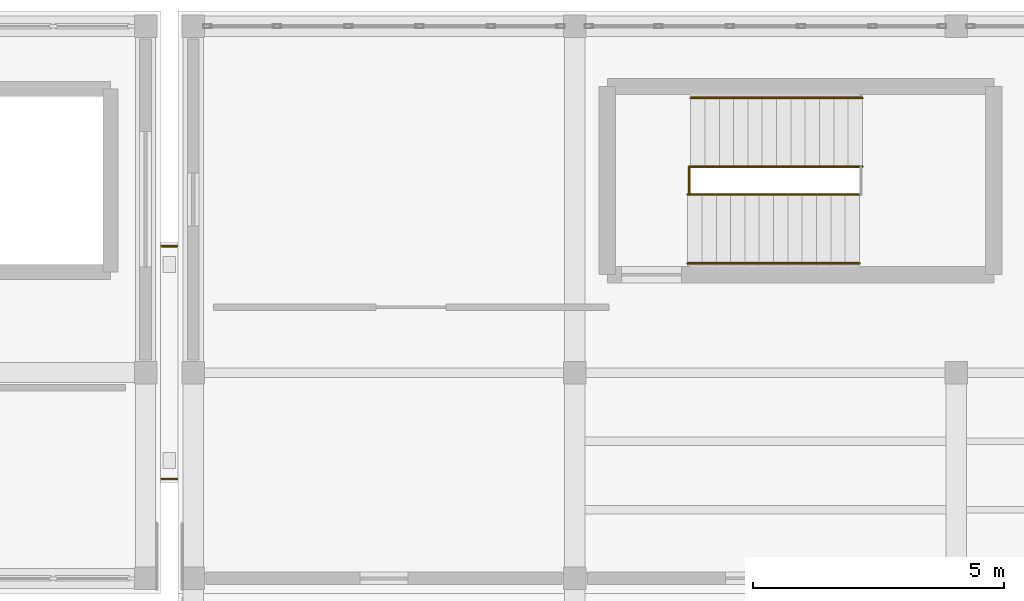
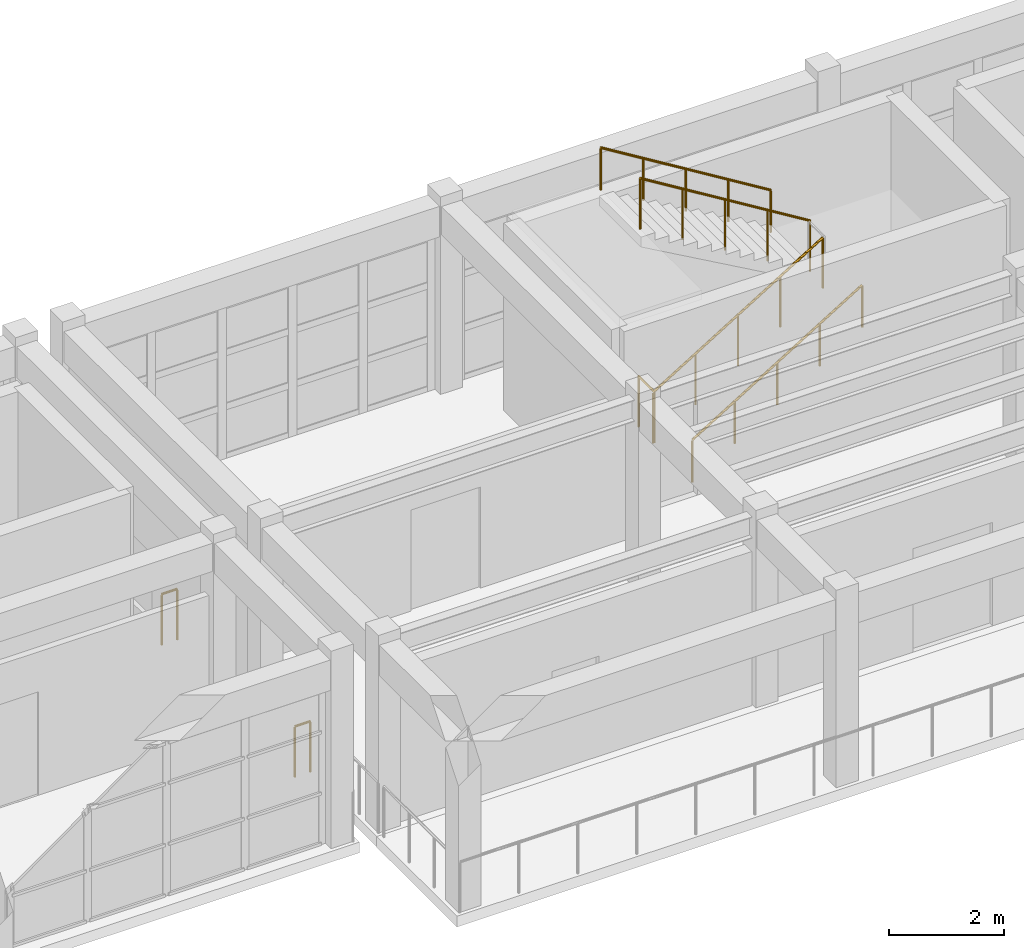
# One storey, part 61 of 66: 7 railings.
"""IFC4 building model written with IfcOpenShell, lengths in metres."""

from ifc_helpers import new_model, si_unit, direction, frame, origin, origin_2d, place, context, subcontext, project, spatial, circle, extrude, material, type_object, element, save


model = new_model("IFC4")

# Units and contexts
model_context = context("Model", 3, precision=1e-05, world=origin(), true_north=direction((0.0, 1.0)))
body_context = subcontext(model_context, "Body", "Model", "MODEL_VIEW")
ifc_project = project(units=[si_unit("LENGTHUNIT", "METRE"), si_unit("AREAUNIT", "SQUARE_METRE"), si_unit("VOLUMEUNIT", "CUBIC_METRE"), si_unit("PLANEANGLEUNIT", "RADIAN"), si_unit("MASSUNIT", "GRAM", prefix="KILO")], contexts=[model_context])

# Site, building, storey
site_placement = place(None, origin())
site = spatial("IfcSite", under=ifc_project, at=site_placement, CompositionType="ELEMENT")
building_placement = place(site_placement, origin())
building = spatial("IfcBuilding", under=site, at=building_placement, Name="Candilejo Ridge Gondola Terminal", CompositionType="ELEMENT")
storey_placement = place(building_placement, frame((0.0, 0.0, 14.39990234375)))
storey = spatial("IfcBuildingStorey", under=building, at=storey_placement, Name="L03", CompositionType="ELEMENT", Elevation=14.39990234375)

# Railings
ifc_material_1 = material(Name="Hot-dip galvanised steel ASTM A500 Grade B", Category="steel")
railing_type_1 = type_object("IfcRailingType", Name="ARC-GUARD-GLASS-1150", PredefinedType="GUARDRAIL", material=ifc_material_1)
for number, where, name in (
    (1, (86.3701171875, 27.679931640625, 0.0), "Link bridge guard LB-SJ2-L03-S"),
    (2, (86.3701171875, 32.320068359375, 0.0), "Link bridge guard LB-SJ2-L03-N"),
):
    element("IfcRailing", number, at=place(storey_placement, frame(where)), inside=storey, type_object=railing_type_1, Name=name, PredefinedType="GUARDRAIL", context=body_context, shape_type="SweptSolid", body=[
        extrude(circle(Radius=0.02392578125, at=origin_2d()), frame((0.0, 0.0, 1.076171875), z_axis=(1.0, 0.0, 0.0), x_axis=(0.0, 1.0, 0.0)), (0.0, 0.0, 1.0), 0.309814453125),
        extrude(circle(Radius=0.02099609375, at=origin_2d()), origin(), (0.0, 0.0, 1.0), 1.052001953125),
        extrude(circle(Radius=0.02099609375, at=origin_2d()), frame((0.309814453125, 0.0, 0.0)), (0.0, 0.0, 1.0), 1.052001953125),
    ])
ifc_material_2 = material(Name="Hot-dip galvanised steel ASTM A500 Grade B", Category="steel")
railing_type_2 = type_object("IfcRailingType", Name="ARC-STAIR-GUARD-1100", PredefinedType="GUARDRAIL", material=ifc_material_2)
railing_1_placement = place(storey_placement, frame((96.8798828125, 33.347412109375, 0.0)))
element("IfcRailing", 3, at=railing_1_placement, inside=storey, type_object=railing_type_2, Name="Arrival well guard ST-V3A-L02-ARR-L03", PredefinedType="GUARDRAIL", context=body_context, shape_type="SweptSolid", body=[
    extrude(circle(Radius=0.02392578125, at=origin_2d()), frame((0.0, 0.0, 1.076171875), z_axis=(0.0, 1.0, 0.0), x_axis=(-1.0, 0.0, 0.0)), (0.0, 0.0, 1.0), 0.55517578125),
    extrude(circle(Radius=0.02099609375, at=origin_2d()), origin(), (0.0, 0.0, 1.0), 1.052001953125),
    extrude(circle(Radius=0.02099609375, at=origin_2d()), frame((0.0, 0.55517578125, 0.0)), (0.0, 0.0, 1.0), 1.052001953125),
])
railing_2_placement = place(storey_placement, frame((96.85009765625, 33.347412109375, 0.0)))
element("IfcRailing", 4, at=railing_2_placement, inside=storey, type_object=railing_type_2, Name="Flight well guard ST-V3A-F07", PredefinedType="GUARDRAIL", context=body_context, shape_type="SweptSolid", body=[
    extrude(circle(Radius=0.02392578125, at=origin_2d()), frame((0.0, 0.0, 1.076171875), z_axis=(0.852155044755, 0.0, 0.523289384279), x_axis=(0.0, 1.0, 0.0)), (0.0, 0.0, 1.0), 4.01318359375),
    extrude(circle(Radius=0.02099609375, at=origin_2d()), origin(), (0.0, 0.0, 1.0), 1.052001953125),
    extrude(circle(Radius=0.02099609375, at=origin_2d()), frame((0.85498046875, 0.0, 0.52490234375)), (0.0, 0.0, 1.0), 1.052001953125),
    extrude(circle(Radius=0.02099609375, at=origin_2d()), frame((1.7099609375, 0.0, 1.050048828125)), (0.0, 0.0, 1.0), 1.052001953125),
    extrude(circle(Radius=0.02099609375, at=origin_2d()), frame((2.56494140625, 0.0, 1.5751953125)), (0.0, 0.0, 1.0), 1.052001953125),
    extrude(circle(Radius=0.02099609375, at=origin_2d()), frame((3.419921875, 0.0, 2.10009765625)), (0.0, 0.0, 1.0), 1.052001953125),
])
railing_3_placement = place(storey_placement, frame((100.330078125, 33.902587890625, 2.10009765625)))
element("IfcRailing", 5, at=railing_3_placement, inside=storey, type_object=railing_type_2, Name="Flight well guard ST-V3A-F08", PredefinedType="GUARDRAIL", context=body_context, shape_type="SweptSolid", body=[
    extrude(circle(Radius=0.02392578125, at=origin_2d()), frame((0.0, 0.0, 1.076171875), z_axis=(-0.852171701593, 0.0, 0.523262258341), x_axis=(0.0, -1.0, 0.0)), (0.0, 0.0, 1.0), 4.013427734375),
    extrude(circle(Radius=0.02099609375, at=origin_2d()), origin(), (0.0, 0.0, 1.0), 1.052001953125),
    extrude(circle(Radius=0.02099609375, at=origin_2d()), frame((-0.85498046875, 0.0, 0.52490234375)), (0.0, 0.0, 1.0), 1.052001953125),
    extrude(circle(Radius=0.02099609375, at=origin_2d()), frame((-1.7099609375, 0.0, 1.050048828125)), (0.0, 0.0, 1.0), 1.052001953125),
    extrude(circle(Radius=0.02099609375, at=origin_2d()), frame((-2.565185546875, 0.0, 1.5751953125)), (0.0, 0.0, 1.0), 1.052001953125),
    extrude(circle(Radius=0.02099609375, at=origin_2d()), frame((-3.420166015625, 0.0, 2.10009765625)), (0.0, 0.0, 1.0), 1.052001953125),
])
ifc_material_3 = material(Name="Brushed stainless steel AISI 316", Category="steel")
railing_type_3 = type_object("IfcRailingType", Name="ARC-STAIR-HANDRAIL-920", PredefinedType="HANDRAIL", material=ifc_material_3)
railing_4_placement = place(storey_placement, frame((96.85009765625, 31.9775390625, 0.0)))
element("IfcRailing", 6, at=railing_4_placement, inside=storey, type_object=railing_type_3, Name="Wall handrail ST-V3A-F07", PredefinedType="HANDRAIL", context=body_context, shape_type="SweptSolid", body=[
    extrude(circle(Radius=0.02392578125, at=origin_2d()), frame((0.0, 0.0, 0.89599609375), z_axis=(0.852155044755, 0.0, 0.523289384279), x_axis=(0.0, 1.0, 0.0)), (0.0, 0.0, 1.0), 4.01318359375),
    extrude(circle(Radius=0.02099609375, at=origin_2d()), origin(), (0.0, 0.0, 1.0), 0.871826171875),
    extrude(circle(Radius=0.02099609375, at=origin_2d()), frame((0.85498046875, 0.0, 0.52490234375)), (0.0, 0.0, 1.0), 0.871826171875),
    extrude(circle(Radius=0.02099609375, at=origin_2d()), frame((1.7099609375, 0.0, 1.050048828125)), (0.0, 0.0, 1.0), 0.871826171875),
    extrude(circle(Radius=0.02099609375, at=origin_2d()), frame((2.56494140625, 0.0, 1.5751953125)), (0.0, 0.0, 1.0), 0.871826171875),
    extrude(circle(Radius=0.02099609375, at=origin_2d()), frame((3.419921875, 0.0, 2.10009765625)), (0.0, 0.0, 1.0), 0.871826171875),
])
railing_5_placement = place(storey_placement, frame((100.330078125, 35.2724609375, 2.10009765625)))
element("IfcRailing", 7, at=railing_5_placement, inside=storey, type_object=railing_type_3, Name="Wall handrail ST-V3A-F08", PredefinedType="HANDRAIL", context=body_context, shape_type="SweptSolid", body=[
    extrude(circle(Radius=0.02392578125, at=origin_2d()), frame((0.0, 0.0, 0.89599609375), z_axis=(-0.852171701593, 0.0, 0.523262258341), x_axis=(0.0, -1.0, 0.0)), (0.0, 0.0, 1.0), 4.013427734375),
    extrude(circle(Radius=0.02099609375, at=origin_2d()), origin(), (0.0, 0.0, 1.0), 0.871826171875),
    extrude(circle(Radius=0.02099609375, at=origin_2d()), frame((-0.85498046875, 0.0, 0.52490234375)), (0.0, 0.0, 1.0), 0.871826171875),
    extrude(circle(Radius=0.02099609375, at=origin_2d()), frame((-1.7099609375, 0.0, 1.050048828125)), (0.0, 0.0, 1.0), 0.871826171875),
    extrude(circle(Radius=0.02099609375, at=origin_2d()), frame((-2.565185546875, 0.0, 1.5751953125)), (0.0, 0.0, 1.0), 0.871826171875),
    extrude(circle(Radius=0.02099609375, at=origin_2d()), frame((-3.420166015625, 0.0, 2.10009765625)), (0.0, 0.0, 1.0), 0.871826171875),
])

save(model, "model.ifc")
